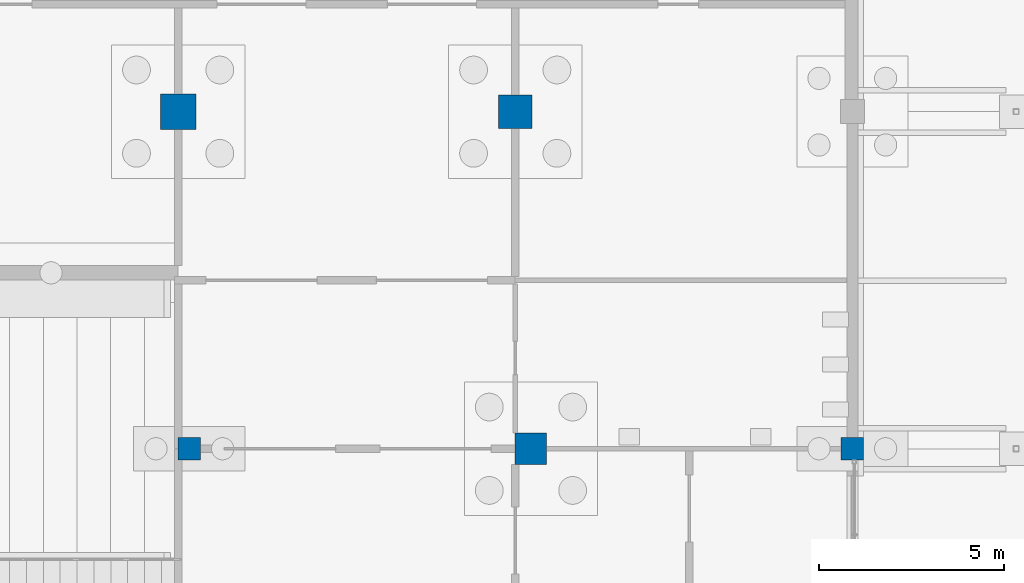
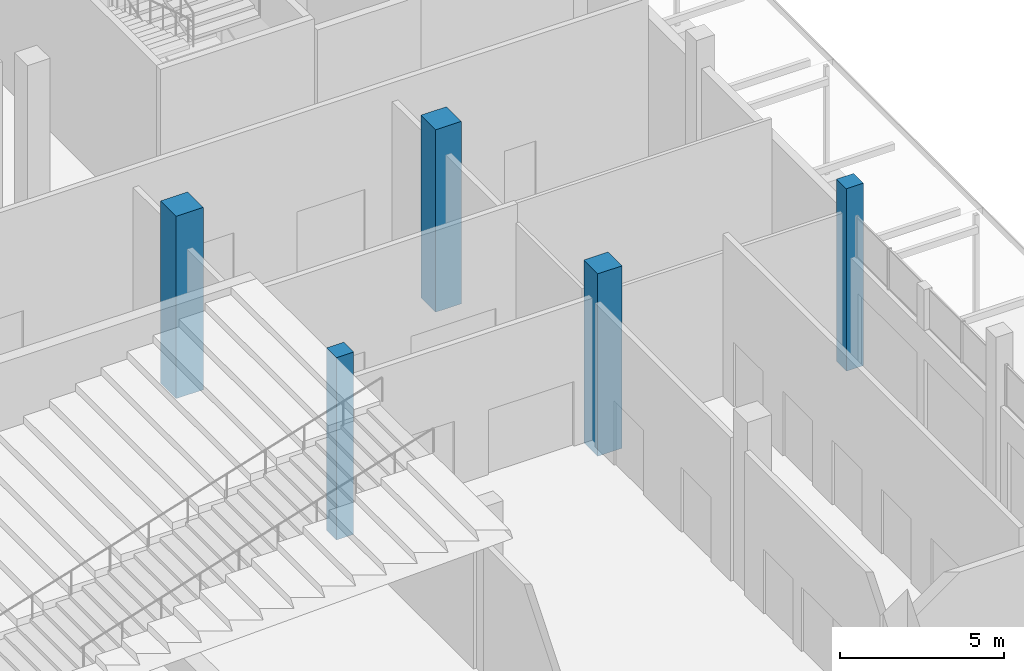
# One storey, part 42 of 129: 5 columns.
"""IFC4 building model written with IfcOpenShell, lengths in metres."""

import ifcopenshell
import ifcopenshell.guid

model = None  # the IFC model being written
_history = None  # IfcOwnerHistory: only IFC2X3 demands one
_inside = {}  # id of a spatial element -> (the spatial element, [elements in it])
_under = {}  # id of a project, library or spatial element -> (it, [spatial elements below it])
_declared = {}  # id of a project -> (the project, [libraries it declares])
_typed = {}  # id of a type object -> (the type object, [elements of that type])
_made_of = {}  # id of a material, layer set ... -> (it, [elements and type objects made of it])


def new_model(schema):
    """Start an empty IFC model of exactly this schema.

    Asked for "IFC4X3", IfcOpenShell would pick the latest addendum, in which some entities
    have other attributes; the version numbers below select the first issue.
    IFC2X3 requires an IfcOwnerHistory on every rooted entity: one is made here for all.
    """
    global model, _history
    if schema == "IFC4X3":
        model = ifcopenshell.file(schema_version=(4, 3, 0, 0))
    else:
        model = ifcopenshell.file(schema=schema)
    _inside.clear()
    _under.clear()
    _declared.clear()
    _typed.clear()
    _made_of.clear()
    _history = None
    if model.schema == "IFC2X3":
        org = make("IfcOrganization", Name="unknown")
        user = make(
            "IfcPersonAndOrganization",
            ThePerson=make("IfcPerson", FamilyName="unknown"),
            TheOrganization=org,
        )
        app = make(
            "IfcApplication",
            ApplicationDeveloper=org,
            Version="unknown",
            ApplicationFullName="unknown",
            ApplicationIdentifier="unknown",
        )
        _history = make(
            "IfcOwnerHistory",
            OwningUser=user,
            OwningApplication=app,
            ChangeAction="ADDED",
            CreationDate=0,
        )
    return model


def make(cls, **values):
    """One entity of the class cls with the attributes given. An attribute that is None is left unset."""
    return model.create_entity(
        cls, **{name: value for name, value in values.items() if value is not None}
    )


def rooted(cls, **values):
    """An entity with a GlobalId (a new one), such as an element, a storey or a relation."""
    return make(cls, GlobalId=ifcopenshell.guid.new(), OwnerHistory=_history, **values)


def si_unit(unit_type, name, prefix=None):
    """IfcSIUnit, for example si_unit("LENGTHUNIT", "METRE", prefix="MILLI")."""
    return make("IfcSIUnit", UnitType=unit_type, Prefix=prefix, Name=name)


def assignment(units):
    """IfcUnitAssignment: the units of a project."""
    return None if units is None else make("IfcUnitAssignment", Units=units)


def point(xyz):
    """IfcCartesianPoint."""
    return None if xyz is None else make("IfcCartesianPoint", Coordinates=xyz)


def direction(xyz):
    """IfcDirection."""
    return None if xyz is None else make("IfcDirection", DirectionRatios=xyz)


def frame(location, z_axis=None, x_axis=None):
    """IfcAxis2Placement3D, a coordinate frame: its origin and axes. An axis left out is left unset."""
    return make(
        "IfcAxis2Placement3D",
        Location=point(location),
        Axis=direction(z_axis),
        RefDirection=direction(x_axis),
    )


def frame_2d(location, x_axis=None):
    """IfcAxis2Placement2D, a coordinate frame in the plane: its origin and x axis."""
    return make(
        "IfcAxis2Placement2D", Location=point(location), RefDirection=direction(x_axis)
    )


def origin():
    """The frame at (0, 0, 0) with its axes left unset."""
    return frame((0.0, 0.0, 0.0))


def origin_2d():
    """The frame at (0, 0) in the plane with its x axis left unset."""
    return frame_2d((0.0, 0.0))


def place(relative_to, where):
    """IfcLocalPlacement: puts the frame where relative to a parent placement (None: the world)."""
    return make(
        "IfcLocalPlacement", PlacementRelTo=relative_to, RelativePlacement=where
    )


def context(
    kind, dimensions, precision=None, world=None, true_north=None, identifier=None
):
    """IfcGeometricRepresentationContext, for example the 3D "Model" context."""
    return make(
        "IfcGeometricRepresentationContext",
        ContextIdentifier=identifier,
        ContextType=kind,
        CoordinateSpaceDimension=dimensions,
        Precision=precision,
        WorldCoordinateSystem=world,
        TrueNorth=true_north,
    )


def subcontext(parent, identifier, kind, view, scale=None):
    """IfcGeometricRepresentationSubContext, for example "Body" below "Model"."""
    return make(
        "IfcGeometricRepresentationSubContext",
        ContextIdentifier=identifier,
        ContextType=kind,
        ParentContext=parent,
        TargetScale=scale,
        TargetView=view,
    )


def project(units=None, contexts=None):
    """IfcProject with its units and contexts."""
    return rooted(
        "IfcProject",
        Name="project",
        RepresentationContexts=contexts,
        UnitsInContext=assignment(units),
    )


def spatial(cls, under=None, at=None, **own):
    """A site, building, storey or space (cls), placed at a placement, below another one or the project."""
    s = rooted(cls, ObjectPlacement=at, **own)
    if under is not None:
        _under.setdefault(under.id(), (under, []))[1].append(s)
    return s


def profile(cls, at=None, kind="AREA", **sizes):
    """A parametric profile (cls). Its sizes go by their IFC names, for example OverallWidth=200.0."""
    return make(cls, ProfileType=kind, Position=at, **sizes)


def rectangle(**sizes):
    """IfcRectangleProfileDef."""
    return profile("IfcRectangleProfileDef", **sizes)


def extrude(swept, where, along, depth):
    """IfcExtrudedAreaSolid: the profile swept, set in the frame where, extruded along a direction by depth."""
    return make(
        "IfcExtrudedAreaSolid",
        SweptArea=swept,
        Position=where,
        ExtrudedDirection=direction(along),
        Depth=depth,
    )


def shape(context_of_items, identifier, shape_type, items):
    """IfcShapeRepresentation: the items that make up one representation, for example the "Body"."""
    return make(
        "IfcShapeRepresentation",
        ContextOfItems=context_of_items,
        RepresentationIdentifier=identifier,
        RepresentationType=shape_type,
        Items=items,
    )


def material(Name=None, Category=None):
    """IfcMaterial."""
    return make("IfcMaterial", Name=Name, Category=Category)


def material_profile(
    of_material, cross_section, Name=None, Category=None, Priority=None
):
    """IfcMaterialProfile: a cross section and its material."""
    return make(
        "IfcMaterialProfile",
        Name=Name,
        Material=of_material,
        Profile=cross_section,
        Priority=Priority,
        Category=Category,
    )


def profile_set(profiles, Name=None, composite=None):
    """IfcMaterialProfileSet."""
    return make(
        "IfcMaterialProfileSet",
        Name=Name,
        MaterialProfiles=profiles,
        CompositeProfile=composite,
    )


def made_of(thing, what):
    """Note that an element or type object is made of a material, layer set ...; save() writes the relation."""
    if what is not None:
        _made_of.setdefault(what.id(), (what, []))[1].append(thing)
    return thing


def type_object(cls, material=None, **own):
    """A type object (cls), such as IfcWallType, which elements share."""
    return made_of(rooted(cls, **own), material)


def element(
    cls,
    number,
    at=None,
    inside=None,
    cuts=None,
    type_object=None,
    material=None,
    context=None,
    identifier="Body",
    shape_type=None,
    held_by="IfcProductDefinitionShape",
    body=None,
    shapes=None,
    **own,
):
    """One element of the class cls, such as IfcWall. Its Tag is "e" and its number.

    at: its placement. inside: the storey or other place that contains it. cuts: it is an
    opening in that element (IfcRelVoidsElement). A single representation is given by context,
    identifier, shape_type and body (its items); several are given by shapes. held_by: the class
    of the entity that holds the representations. save() writes the other relations.
    """
    e = rooted(cls, Tag="e%d" % number, ObjectPlacement=at, **own)
    if body is not None:
        shapes = [shape(context, identifier, shape_type, body)]
    if shapes is not None:
        e.Representation = make(held_by, Representations=shapes)
    if inside is not None:
        _inside.setdefault(inside.id(), (inside, []))[1].append(e)
    if cuts is not None:
        rooted(
            "IfcRelVoidsElement", RelatingBuildingElement=cuts, RelatedOpeningElement=e
        )
    if type_object is not None:
        _typed.setdefault(type_object.id(), (type_object, []))[1].append(e)
    return made_of(e, material)


def aggregate(whole, parts):
    """IfcRelAggregates: a whole, such as a stair, and the parts it consists of."""
    return rooted("IfcRelAggregates", RelatingObject=whole, RelatedObjects=parts)


def save(model, path):
    """Write the relations noted so far, then the file.

    IfcRelAggregates (storeys below a building ...), IfcRelContainedInSpatialStructure (elements
    in a storey), IfcRelDefinesByType, IfcRelAssociatesMaterial and IfcRelDeclares: one each for
    every whole, place, type object, material and project.
    """
    for whole, parts in _under.values():
        aggregate(whole, parts)
    for where, things in _inside.values():
        rooted(
            "IfcRelContainedInSpatialStructure",
            RelatedElements=things,
            RelatingStructure=where,
        )
    for kind, things in _typed.values():
        rooted("IfcRelDefinesByType", RelatedObjects=things, RelatingType=kind)
    for what, things in _made_of.values():
        rooted("IfcRelAssociatesMaterial", RelatedObjects=things, RelatingMaterial=what)
    for by, libraries in _declared.values():
        rooted("IfcRelDeclares", RelatingContext=by, RelatedDefinitions=libraries)
    model.write(path)


model = new_model("IFC4")

# Units and contexts
model_context = context("Model", 3, precision=1e-05, world=origin(), true_north=direction((0.0, 1.0)))
body_context = subcontext(model_context, "Body", "Model", "MODEL_VIEW")
ifc_project = project(units=[si_unit("LENGTHUNIT", "METRE"), si_unit("AREAUNIT", "SQUARE_METRE"), si_unit("VOLUMEUNIT", "CUBIC_METRE"), si_unit("PLANEANGLEUNIT", "RADIAN"), si_unit("MASSUNIT", "GRAM", prefix="KILO")], contexts=[model_context])

# Site, building, storey
site_placement = place(None, origin())
site = spatial("IfcSite", under=ifc_project, at=site_placement, CompositionType="ELEMENT")
building_placement = place(site_placement, origin())
building = spatial("IfcBuilding", under=site, at=building_placement, Name="Shirokan Park Arena", CompositionType="ELEMENT")
storey_placement = place(building_placement, origin())
storey = spatial("IfcBuildingStorey", under=building, at=storey_placement, Name="L00", CompositionType="ELEMENT", Elevation=0.0)

# Columns
ifc_material = material(Name="Concrete C35", Category="concrete")
ifc_material_profile_1 = material_profile(ifc_material, rectangle(XDim=0.60009765625, YDim=0.60009765625, at=origin_2d()), Name="600x600")
ifc_profile_set_1 = profile_set([ifc_material_profile_1], Name="Concrete C35")
column_type_1 = type_object("IfcColumnType", Name="RC column 600x600", PredefinedType="COLUMN", material=ifc_profile_set_1)
for number, where, z_axis, x_axis, name in (
    (1, (127.699951171875, 63.699951171875, -0.39990234375), (0.0, 0.0, 1.0), (1.0, 0.0, 0.0), "Column 15H L00"),
    (2, (145.60009765625, 63.699951171875, -0.39990234375), (0.0, 0.0, 1.0), (1.0, 0.0, 0.0), "Column 17H L00"),
):
    element("IfcColumn", number, at=place(storey_placement, frame(where, z_axis=z_axis, x_axis=x_axis)), inside=storey, type_object=column_type_1, Name=name, PredefinedType="COLUMN", context=body_context, shape_type="SweptSolid", body=[
        extrude(rectangle(XDim=0.60009765625, YDim=0.60009765625, at=origin_2d()), origin(), (0.0, 0.0, 1.0), 6.77001953125),
    ])
ifc_material_profile_2 = material_profile(ifc_material, rectangle(XDim=0.85009765625, YDim=0.85009765625, at=origin_2d()), Name="850x850")
ifc_profile_set_2 = profile_set([ifc_material_profile_2], Name="Concrete C35")
column_type_2 = type_object("IfcColumnType", Name="RC column 850x850", PredefinedType="COLUMN", material=ifc_profile_set_2)
column_1_placement = place(storey_placement, frame((136.925048828125, 63.699951171875, -0.39990234375), z_axis=(0.0, 0.0, 1.0), x_axis=(1.0, 0.0, 0.0)))
element("IfcColumn", 3, at=column_1_placement, inside=storey, type_object=column_type_2, Name="Column 16H L00", PredefinedType="COLUMN", context=body_context, shape_type="SweptSolid", body=[
    extrude(rectangle(XDim=0.85009765625, YDim=0.85009765625, at=origin_2d()), origin(), (0.0, 0.0, 1.0), 6.77001953125),
])
ifc_material_profile_3 = material_profile(ifc_material, rectangle(XDim=0.89990234375, YDim=0.89990234375, at=origin_2d()), Name="900x900")
ifc_profile_set_3 = profile_set([ifc_material_profile_3], Name="Concrete C35")
column_type_3 = type_object("IfcColumnType", Name="RC column 900x900", PredefinedType="COLUMN", material=ifc_profile_set_3)
column_2_placement = place(storey_placement, frame((136.5, 72.800048828125, -0.39990234375), z_axis=(0.0, 0.0, 1.0), x_axis=(1.0, 0.0, 0.0)))
element("IfcColumn", 4, at=column_2_placement, inside=storey, type_object=column_type_3, Name="Column 16J L00", PredefinedType="COLUMN", context=body_context, shape_type="SweptSolid", body=[
    extrude(rectangle(XDim=0.89990234375, YDim=0.89990234375, at=origin_2d()), origin(), (0.0, 0.0, 1.0), 6.77001953125),
])
ifc_material_profile_4 = material_profile(ifc_material, rectangle(XDim=0.949951171875, YDim=0.949951171875, at=origin_2d()), Name="950x950")
ifc_profile_set_4 = profile_set([ifc_material_profile_4], Name="Concrete C35")
column_type_4 = type_object("IfcColumnType", Name="RC column 950x950", PredefinedType="COLUMN", material=ifc_profile_set_4)
column_3_placement = place(storey_placement, frame((127.39990234375, 72.800048828125, -0.39990234375), z_axis=(0.0, 0.0, 1.0), x_axis=(1.0, 0.0, 0.0)))
element("IfcColumn", 5, at=column_3_placement, inside=storey, type_object=column_type_4, Name="Column 15J L00", PredefinedType="COLUMN", context=body_context, shape_type="SweptSolid", body=[
    extrude(rectangle(XDim=0.949951171875, YDim=0.949951171875, at=origin_2d()), origin(), (0.0, 0.0, 1.0), 6.77001953125),
])

save(model, "model.ifc")
